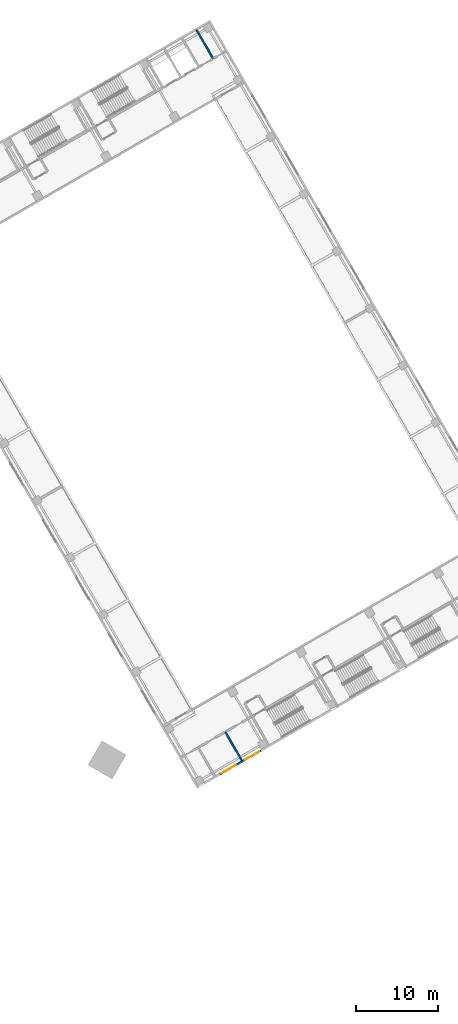
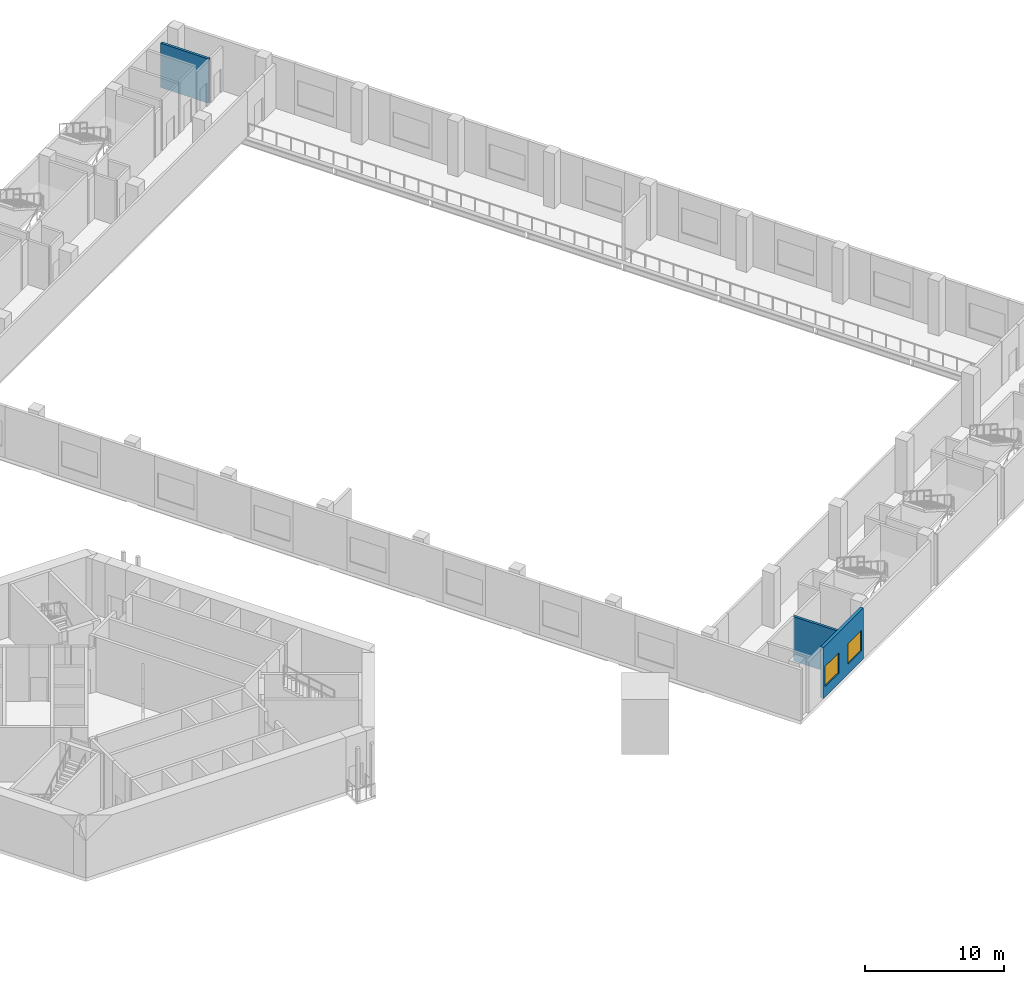
# One storey, part 16 of 28: 3 walls, 2 windows, 2 openings.
"""IFC4 building model written with IfcOpenShell, lengths in metres."""

from ifc_helpers import new_model, si_unit, direction, frame, frame_2d, origin, place, context, subcontext, project, spatial, rectangle, extrude, material, layer, layer_set, type_object, element, fill, save


model = new_model("IFC4")

# Units and contexts
model_context = context("Model", 3, precision=1e-05, world=origin(), true_north=direction((0.0, 1.0)))
body_context = subcontext(model_context, "Body", "Model", "MODEL_VIEW")
ifc_project = project(units=[si_unit("LENGTHUNIT", "METRE"), si_unit("AREAUNIT", "SQUARE_METRE"), si_unit("VOLUMEUNIT", "CUBIC_METRE"), si_unit("PLANEANGLEUNIT", "RADIAN"), si_unit("MASSUNIT", "GRAM", prefix="KILO")], contexts=[model_context])

# Site, building, storey
site_placement = place(None, origin())
site = spatial("IfcSite", under=ifc_project, at=site_placement, CompositionType="ELEMENT")
building_placement = place(site_placement, origin())
building = spatial("IfcBuilding", under=site, at=building_placement, Name="Mestral Congress Tower", CompositionType="ELEMENT")
storey_placement = place(building_placement, frame((0.0, 0.0, 11.39990234375)))
storey = spatial("IfcBuildingStorey", under=building, at=storey_placement, Name="L02", CompositionType="ELEMENT", Elevation=11.39990234375)

# Wall, openings, windows
ifc_material_1 = material(Name="Precast concrete C40/50 with limestone facing", Category="masonry")
ifc_layer_1 = layer(ifc_material_1, 0.25)
ifc_layer_set_1 = layer_set([ifc_layer_1], Name="Precast concrete C40/50 with limestone facing")
wall_type_1 = type_object("IfcWallType", Name="Podium external wall 250", PredefinedType="SOLIDWALL", material=ifc_layer_set_1)
wall_placement = place(storey_placement, frame((50.207763671875, -17.05615234375, 0.0), z_axis=(0.0, 0.0, 1.0), x_axis=(-0.866036343161, -0.499981051965, 0.0)))
wall = element("IfcWall", 1, at=wall_placement, inside=storey, type_object=wall_type_1, Name="L02 external wall", PredefinedType="SOLIDWALL", context=body_context, shape_type="SweptSolid", body=[
    extrude(rectangle(XDim=5.775146484375, YDim=0.25, at=frame_2d((2.8876953125, 0.0))), origin(), (0.0, 0.0, 1.0), 4.5),
])
opening_1_placement = place(wall_placement, frame((3.52490234375, 0.0, 0.89990234375)))
opening_1 = element("IfcOpeningElement", 2, at=opening_1_placement, cuts=wall, Name="Opening PW-2000x1800", PredefinedType="OPENING", context=body_context, shape_type="SweptSolid", body=[
    extrude(rectangle(XDim=2.0, YDim=1.800048828125, at=frame_2d((1.0, 0.89990234375))), frame((0.0, 0.135009765625, 0.0), z_axis=(0.0, -1.0, 0.0), x_axis=(1.0, 0.0, 0.0)), (0.0, 0.0, 1.0), 0.27001953125),
])
opening_2_placement = place(wall_placement, frame((0.25, 0.0, 0.89990234375)))
opening_2 = element("IfcOpeningElement", 3, at=opening_2_placement, cuts=wall, Name="Opening PW-2000x1800", PredefinedType="OPENING", context=body_context, shape_type="SweptSolid", body=[
    extrude(rectangle(XDim=2.0, YDim=1.800048828125, at=frame_2d((1.0, 0.89990234375))), frame((0.0, 0.135009765625, 0.0), z_axis=(0.0, -1.0, 0.0), x_axis=(1.0, 0.0, 0.0)), (0.0, 0.0, 1.0), 0.27001953125),
])
ifc_material_2 = material(Name="Aluminium frame, clear double glazing", Category="aluminium")
window_type = type_object("IfcWindowType", Name="Podium window 2000x1800 sill 900", PartitioningType="SINGLE_PANEL", PredefinedType="WINDOW", material=ifc_material_2)
window_1_placement = place(opening_1_placement, origin())
window_1 = element("IfcWindow", 4, at=window_1_placement, inside=storey, type_object=window_type, Name="Window", OverallHeight=1.800048828125, OverallWidth=2.0, PartitioningType="SINGLE_PANEL", PredefinedType="WINDOW", context=body_context, shape_type="SweptSolid", body=[
    extrude(rectangle(XDim=2.0, YDim=1.800048828125, at=frame_2d((1.0, 0.89990234375))), frame((0.0, 0.030029296875, 0.0), z_axis=(0.0, -1.0, 0.0), x_axis=(1.0, 0.0, 0.0)), (0.0, 0.0, 1.0), 0.06005859375),
])
fill(opening_1, window_1)
window_2_placement = place(opening_2_placement, origin())
window_2 = element("IfcWindow", 5, at=window_2_placement, inside=storey, type_object=window_type, Name="Window", OverallHeight=1.800048828125, OverallWidth=2.0, PartitioningType="SINGLE_PANEL", PredefinedType="WINDOW", context=body_context, shape_type="SweptSolid", body=[
    extrude(rectangle(XDim=2.0, YDim=1.800048828125, at=frame_2d((1.0, 0.89990234375))), frame((0.0, 0.030029296875, 0.0), z_axis=(0.0, -1.0, 0.0), x_axis=(1.0, 0.0, 0.0)), (0.0, 0.0, 1.0), 0.06005859375),
])
fill(opening_2, window_2)

# Walls
ifc_material_3 = material(Name="Fire-rated board partition")
ifc_layer_2 = layer(ifc_material_3, 0.199951171875)
ifc_layer_set_2 = layer_set([ifc_layer_2], Name="Fire-rated board partition")
wall_type_2 = type_object("IfcWallType", Name="Podium vestibule wall 200 EI 120", PredefinedType="PARTITIONING", material=ifc_layer_set_2)
for number, where, z_axis, x_axis, name in (
    (6, (44.394775390625, 66.911865234375, 0.0), (0.0, 0.0, 1.0), (-0.49999894854, 0.866026010844, 0.0), "L02 partition"),
    (7, (47.871826171875, -18.260498046875, 0.0), (0.0, 0.0, 1.0), (-0.49999894854, 0.866026010844, 0.0), "L02 partition"),
):
    element("IfcWall", number, at=place(storey_placement, frame(where, z_axis=z_axis, x_axis=x_axis)), inside=storey, type_object=wall_type_2, Name=name, PredefinedType="PARTITIONING", context=body_context, shape_type="SweptSolid", body=[
        extrude(rectangle(XDim=4.0, YDim=0.199951171875, at=frame_2d((2.0, 0.0))), origin(), (0.0, 0.0, 1.0), 3.900146484375),
    ])

save(model, "model.ifc")
